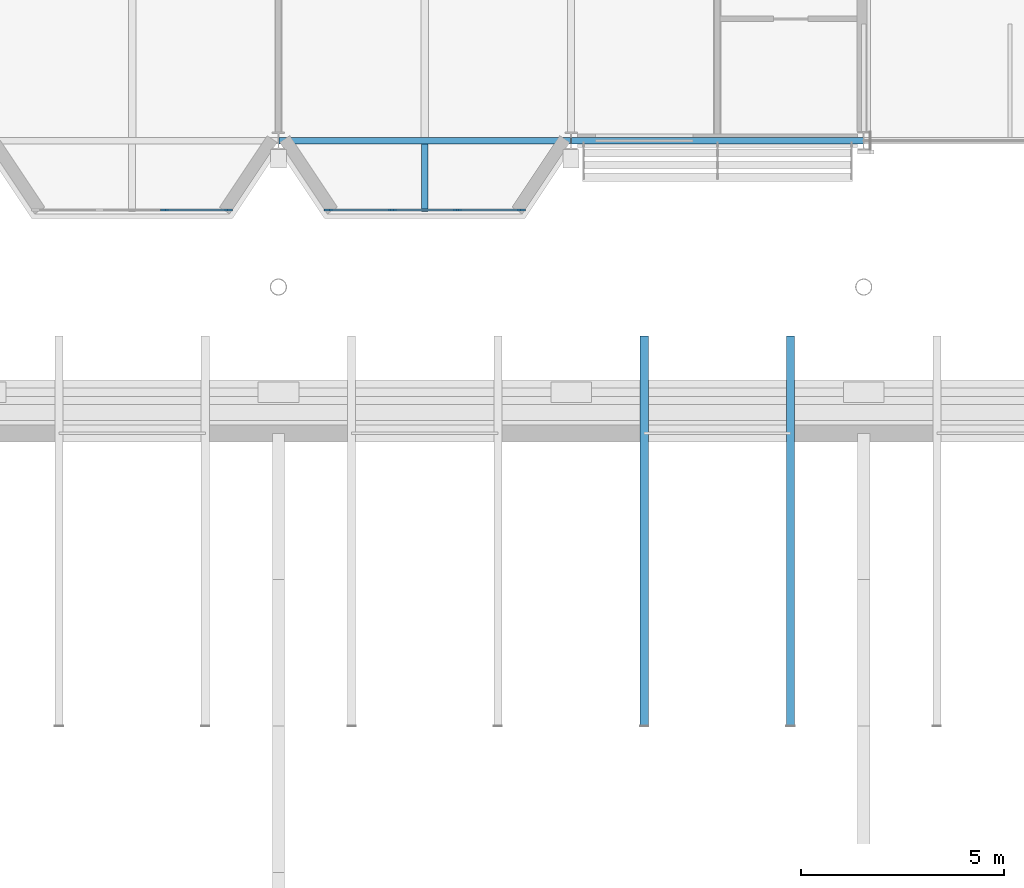
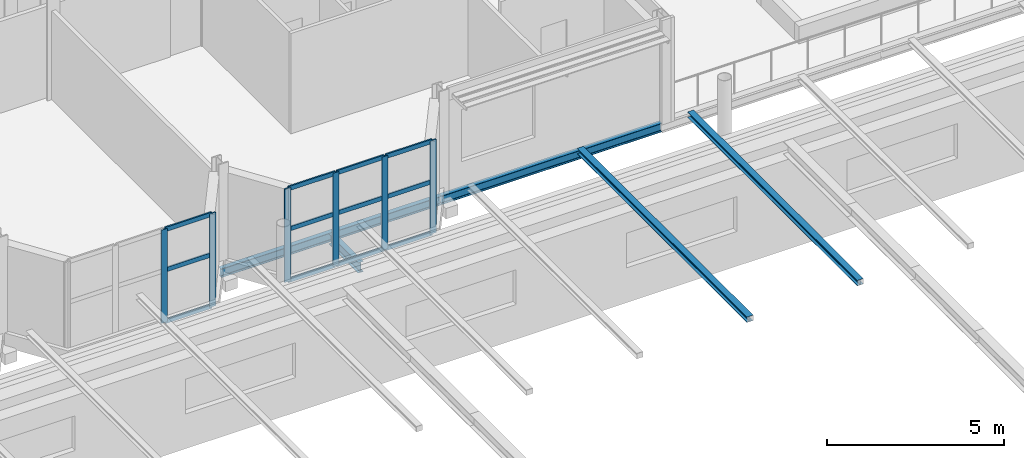
# One storey, part 28 of 110: 20 members, 3 beams, 2 elements without a shape of their own.
"""IFC4 building model written with IfcOpenShell, lengths in metres."""

from ifc_helpers import new_model, si_unit, direction, frame, origin, origin_2d, place, context, subcontext, project, spatial, rectangle, i_section, extrude, material, material_profile, profile_set, type_object, element, aggregate, save


model = new_model("IFC4")

# Units and contexts
model_context = context("Model", 3, precision=1e-05, world=origin(), true_north=direction((0.0, 1.0)))
body_context = subcontext(model_context, "Body", "Model", "MODEL_VIEW")
ifc_project = project(units=[si_unit("LENGTHUNIT", "METRE"), si_unit("AREAUNIT", "SQUARE_METRE"), si_unit("VOLUMEUNIT", "CUBIC_METRE"), si_unit("PLANEANGLEUNIT", "RADIAN"), si_unit("MASSUNIT", "GRAM", prefix="KILO")], contexts=[model_context])

# Site, building, storey
site_placement = place(None, origin())
site = spatial("IfcSite", under=ifc_project, at=site_placement, CompositionType="ELEMENT")
building_placement = place(site_placement, origin())
building = spatial("IfcBuilding", under=site, at=building_placement, Name="Kupolbacken Congress Centre", CompositionType="ELEMENT")
storey_placement = place(building_placement, frame((0.0, 0.0, 18.0)))
storey = spatial("IfcBuildingStorey", under=building, at=storey_placement, Name="L05", CompositionType="ELEMENT", Elevation=18.0)

# Beams
ifc_material_1 = material(Name="Steel S355", Category="steel")
ifc_material_profile_1 = material_profile(ifc_material_1, i_section(OverallWidth=0.14990234375, OverallDepth=0.300048828125, WebThickness=0.007080078125, FlangeThickness=0.0107421875, FilletRadius=0.014892578125, at=origin_2d()), Name="IPE 300")
ifc_profile_set_1 = profile_set([ifc_material_profile_1], Name="Steel S355")
beam_type_1 = type_object("IfcBeamType", Name="B04 beam IPE 300", PredefinedType="BEAM", material=ifc_profile_set_1)
beam_1_placement = place(storey_placement, frame((122.410400390625, 122.39990234375, -0.2900390625), z_axis=(1.0, 0.0, 0.0), x_axis=(0.0, 1.0, 0.0)))
element("IfcBeam", 1, at=beam_1_placement, inside=storey, type_object=beam_type_1, Name="S/floor/T/L05/R005", PredefinedType="BEAM", context=body_context, shape_type="SweptSolid", body=[
    extrude(i_section(OverallWidth=0.14990234375, OverallDepth=0.300048828125, WebThickness=0.007080078125, FlangeThickness=0.0107421875, FilletRadius=0.014892578125, at=origin_2d()), origin(), (0.0, 0.0, 1.0), 7.17919921875),
])
beam_2_placement = place(storey_placement, frame((129.610595703125, 122.39990234375, -0.2900390625), z_axis=(1.0, 0.0, 0.0), x_axis=(0.0, 1.0, 0.0)))
element("IfcBeam", 2, at=beam_2_placement, inside=storey, type_object=beam_type_1, Name="S/floor/T/L05/R006", PredefinedType="BEAM", context=body_context, shape_type="SweptSolid", body=[
    extrude(i_section(OverallWidth=0.14990234375, OverallDepth=0.300048828125, WebThickness=0.007080078125, FlangeThickness=0.0107421875, FilletRadius=0.014892578125, at=origin_2d()), origin(), (0.0, 0.0, 1.0), 7.182373046875),
])
ifc_material_2 = material(Name="Steel S355", Category="steel")
ifc_material_profile_2 = material_profile(ifc_material_2, i_section(OverallWidth=0.169921875, OverallDepth=0.360107421875, WebThickness=0.008056640625, FlangeThickness=0.0126953125, FilletRadius=0.01806640625, at=origin_2d()), Name="IPE 360")
ifc_profile_set_2 = profile_set([ifc_material_profile_2], Name="Steel S355")
beam_type_2 = type_object("IfcBeamType", Name="B06 beam IPE 360", PredefinedType="BEAM", material=ifc_profile_set_2)
beam_3_placement = place(storey_placement, frame((126.0, 122.324951171875, -0.320068359375), z_axis=(0.0, -1.0, 0.0), x_axis=(1.0, 0.0, 0.0)))
element("IfcBeam", 3, at=beam_3_placement, inside=storey, type_object=beam_type_2, Name="S/floor/T/L05/C089", PredefinedType="BEAM", context=body_context, shape_type="SweptSolid", body=[
    extrude(i_section(OverallWidth=0.169921875, OverallDepth=0.360107421875, WebThickness=0.008056640625, FlangeThickness=0.0126953125, FilletRadius=0.01806640625, at=origin_2d()), origin(), (0.0, 0.0, 1.0), 1.6650390625),
])

# Members
ifc_material_3 = material(Name="Steel S355", Category="steel")
ifc_material_profile_3 = material_profile(ifc_material_3, i_section(OverallWidth=0.199951171875, OverallDepth=0.18994140625, WebThickness=0.006591796875, FlangeThickness=0.010009765625, FilletRadius=0.01806640625, at=origin_2d()), Name="HEA 200")
ifc_profile_set_3 = profile_set([ifc_material_profile_3], Name="Steel S355")
member_type_1 = type_object("IfcMemberType", Name="M14 member HEA 200", PredefinedType="BRACE", material=ifc_profile_set_3)
for number, where, z_axis, x_axis, name in (
    (4, (131.39990234375, 108.0, 3.68505859375), (0.0, 1.0, 0.0), (-1.0, 0.0, 0.0), "HE/N13"),
    (5, (135.0, 108.0, 3.68505859375), (0.0, 1.0, 0.0), (-1.0, 0.0, 0.0), "HE/N14"),
):
    element("IfcMember", number, at=place(storey_placement, frame(where, z_axis=z_axis, x_axis=x_axis)), inside=storey, type_object=member_type_1, Name=name, PredefinedType="BRACE", context=body_context, shape_type="SweptSolid", body=[
        extrude(i_section(OverallWidth=0.199951171875, OverallDepth=0.18994140625, WebThickness=0.006591796875, FlangeThickness=0.010009765625, FilletRadius=0.01806640625, at=origin_2d()), origin(), (0.0, 0.0, 1.0), 9.60009765625),
    ])

# Curtain wall, members
ifc_material_4 = material(Name="Aluminium mullion-transom frame with glass", Category="aluminium")
curtain_wall_type = type_object("IfcCurtainWallType", Name="CW1 curtain wall 7200x3600", PredefinedType="NOTDEFINED", material=ifc_material_4)
curtain_wall_1_placement = place(storey_placement, origin())
curtain_wall_1 = element("IfcCurtainWall", 6, at=curtain_wall_1_placement, inside=storey, type_object=curtain_wall_type, Name="E/T/cumba/L05/S/017/cw", PredefinedType="NOTDEFINED")
ifc_material_5 = material(Name="Aluminium alloy", Category="aluminium")
ifc_material_profile_4 = material_profile(ifc_material_5, rectangle(XDim=0.050048828125, YDim=0.199951171875, at=origin_2d()), Name="50 x 200")
ifc_profile_set_4 = profile_set([ifc_material_profile_4], Name="Aluminium alloy")
member_type_2 = type_object("IfcMemberType", Name="MU2 mullion 50x200", PredefinedType="MULLION", material=ifc_profile_set_4)
member_1_placement = place(storey_placement, frame((119.60009765625, 120.699951171875, 0.0), z_axis=(0.0, 0.0, 1.0), x_axis=(0.0, 1.0, 0.0)))
member_1 = element("IfcMember", 7, at=member_1_placement, type_object=member_type_2, Name="CW1 mullion 3", PredefinedType="MULLION", context=body_context, shape_type="SweptSolid", body=[
    extrude(rectangle(XDim=0.050048828125, YDim=0.199951171875, at=origin_2d()), origin(), (0.0, 0.0, 1.0), 3.219970703125),
])
member_2_placement = place(storey_placement, frame((121.175048828125, 120.699951171875, 0.0), z_axis=(0.0, 0.0, 1.0), x_axis=(0.0, 1.0, 0.0)))
member_2 = element("IfcMember", 8, at=member_2_placement, type_object=member_type_2, Name="CW1 mullion 4", PredefinedType="MULLION", context=body_context, shape_type="SweptSolid", body=[
    extrude(rectangle(XDim=0.050048828125, YDim=0.199951171875, at=origin_2d()), origin(), (0.0, 0.0, 1.0), 3.219970703125),
])

curtain_wall_2_placement = place(storey_placement, origin())
curtain_wall_2 = element("IfcCurtainWall", 9, at=curtain_wall_2_placement, inside=storey, type_object=curtain_wall_type, Name="E/T/cumba/L05/S/021/cw", PredefinedType="NOTDEFINED")
member_3_placement = place(storey_placement, frame((123.625, 120.699951171875, 0.0), z_axis=(0.0, 0.0, 1.0), x_axis=(0.0, 1.0, 0.0)))
member_3 = element("IfcMember", 10, at=member_3_placement, type_object=member_type_2, Name="CW1 mullion 1", PredefinedType="MULLION", context=body_context, shape_type="SweptSolid", body=[
    extrude(rectangle(XDim=0.050048828125, YDim=0.199951171875, at=origin_2d()), origin(), (0.0, 0.0, 1.0), 3.219970703125),
])
member_4_placement = place(storey_placement, frame((125.199951171875, 120.699951171875, 0.0), z_axis=(0.0, 0.0, 1.0), x_axis=(0.0, 1.0, 0.0)))
member_4 = element("IfcMember", 11, at=member_4_placement, type_object=member_type_2, Name="CW1 mullion 2", PredefinedType="MULLION", context=body_context, shape_type="SweptSolid", body=[
    extrude(rectangle(XDim=0.050048828125, YDim=0.199951171875, at=origin_2d()), origin(), (0.0, 0.0, 1.0), 3.219970703125),
])
member_5_placement = place(storey_placement, frame((126.800048828125, 120.699951171875, 0.0), z_axis=(0.0, 0.0, 1.0), x_axis=(0.0, 1.0, 0.0)))
member_5 = element("IfcMember", 12, at=member_5_placement, type_object=member_type_2, Name="CW1 mullion 3", PredefinedType="MULLION", context=body_context, shape_type="SweptSolid", body=[
    extrude(rectangle(XDim=0.050048828125, YDim=0.199951171875, at=origin_2d()), origin(), (0.0, 0.0, 1.0), 3.219970703125),
])
member_6_placement = place(storey_placement, frame((128.375, 120.699951171875, 0.0), z_axis=(0.0, 0.0, 1.0), x_axis=(0.0, 1.0, 0.0)))
member_6 = element("IfcMember", 13, at=member_6_placement, type_object=member_type_2, Name="CW1 mullion 4", PredefinedType="MULLION", context=body_context, shape_type="SweptSolid", body=[
    extrude(rectangle(XDim=0.050048828125, YDim=0.199951171875, at=origin_2d()), origin(), (0.0, 0.0, 1.0), 3.219970703125),
])

# Member
ifc_material_6 = material(Name="Aluminium alloy", Category="aluminium")
ifc_material_profile_5 = material_profile(ifc_material_6, rectangle(XDim=0.050048828125, YDim=0.14990234375, at=origin_2d()), Name="50 x 150")
ifc_profile_set_5 = profile_set([ifc_material_profile_5], Name="Aluminium alloy")
member_type_3 = type_object("IfcMemberType", Name="TR2 transom 50x150", PredefinedType="MULLION", material=ifc_profile_set_5)
member_7_placement = place(storey_placement, frame((119.625, 120.699951171875, 0.02490234375), z_axis=(1.0, 0.0, 0.0), x_axis=(0.0, 1.0, 0.0)))
member_7 = element("IfcMember", 14, at=member_7_placement, type_object=member_type_3, Name="CW1 transom 3.1", PredefinedType="MULLION", context=body_context, shape_type="SweptSolid", body=[
    extrude(rectangle(XDim=0.050048828125, YDim=0.14990234375, at=origin_2d()), origin(), (0.0, 0.0, 1.0), 1.52490234375),
])

member_8_placement = place(storey_placement, frame((119.625, 120.699951171875, 1.800048828125), z_axis=(1.0, 0.0, 0.0), x_axis=(0.0, 1.0, 0.0)))
member_8 = element("IfcMember", 15, at=member_8_placement, type_object=member_type_3, Name="CW1 transom 3.2", PredefinedType="MULLION", context=body_context, shape_type="SweptSolid", body=[
    extrude(rectangle(XDim=0.050048828125, YDim=0.14990234375, at=origin_2d()), origin(), (0.0, 0.0, 1.0), 1.52490234375),
])

member_9_placement = place(storey_placement, frame((119.625, 120.699951171875, 3.195068359375), z_axis=(1.0, 0.0, 0.0), x_axis=(0.0, 1.0, 0.0)))
member_9 = element("IfcMember", 16, at=member_9_placement, type_object=member_type_3, Name="CW1 transom 3.3", PredefinedType="MULLION", context=body_context, shape_type="SweptSolid", body=[
    extrude(rectangle(XDim=0.050048828125, YDim=0.14990234375, at=origin_2d()), origin(), (0.0, 0.0, 1.0), 1.52490234375),
])

aggregate(curtain_wall_1, [member_1, member_2, member_7, member_8, member_9])

member_10_placement = place(storey_placement, frame((123.64990234375, 120.699951171875, 0.02490234375), z_axis=(1.0, 0.0, 0.0), x_axis=(0.0, 1.0, 0.0)))
member_10 = element("IfcMember", 17, at=member_10_placement, type_object=member_type_3, Name="CW1 transom 1.1", PredefinedType="MULLION", context=body_context, shape_type="SweptSolid", body=[
    extrude(rectangle(XDim=0.050048828125, YDim=0.14990234375, at=origin_2d()), origin(), (0.0, 0.0, 1.0), 1.525146484375),
])

member_11_placement = place(storey_placement, frame((123.64990234375, 120.699951171875, 1.800048828125), z_axis=(1.0, 0.0, 0.0), x_axis=(0.0, 1.0, 0.0)))
member_11 = element("IfcMember", 18, at=member_11_placement, type_object=member_type_3, Name="CW1 transom 1.2", PredefinedType="MULLION", context=body_context, shape_type="SweptSolid", body=[
    extrude(rectangle(XDim=0.050048828125, YDim=0.14990234375, at=origin_2d()), origin(), (0.0, 0.0, 1.0), 1.525146484375),
])

member_12_placement = place(storey_placement, frame((123.64990234375, 120.699951171875, 3.195068359375), z_axis=(1.0, 0.0, 0.0), x_axis=(0.0, 1.0, 0.0)))
member_12 = element("IfcMember", 19, at=member_12_placement, type_object=member_type_3, Name="CW1 transom 1.3", PredefinedType="MULLION", context=body_context, shape_type="SweptSolid", body=[
    extrude(rectangle(XDim=0.050048828125, YDim=0.14990234375, at=origin_2d()), origin(), (0.0, 0.0, 1.0), 1.525146484375),
])

member_13_placement = place(storey_placement, frame((125.22509765625, 120.699951171875, 0.02490234375), z_axis=(1.0, 0.0, 0.0), x_axis=(0.0, 1.0, 0.0)))
member_13 = element("IfcMember", 20, at=member_13_placement, type_object=member_type_3, Name="CW1 transom 2.1", PredefinedType="MULLION", context=body_context, shape_type="SweptSolid", body=[
    extrude(rectangle(XDim=0.050048828125, YDim=0.14990234375, at=origin_2d()), origin(), (0.0, 0.0, 1.0), 1.5498046875),
])

member_14_placement = place(storey_placement, frame((125.22509765625, 120.699951171875, 1.800048828125), z_axis=(1.0, 0.0, 0.0), x_axis=(0.0, 1.0, 0.0)))
member_14 = element("IfcMember", 21, at=member_14_placement, type_object=member_type_3, Name="CW1 transom 2.2", PredefinedType="MULLION", context=body_context, shape_type="SweptSolid", body=[
    extrude(rectangle(XDim=0.050048828125, YDim=0.14990234375, at=origin_2d()), origin(), (0.0, 0.0, 1.0), 1.5498046875),
])

member_15_placement = place(storey_placement, frame((125.22509765625, 120.699951171875, 3.195068359375), z_axis=(1.0, 0.0, 0.0), x_axis=(0.0, 1.0, 0.0)))
member_15 = element("IfcMember", 22, at=member_15_placement, type_object=member_type_3, Name="CW1 transom 2.3", PredefinedType="MULLION", context=body_context, shape_type="SweptSolid", body=[
    extrude(rectangle(XDim=0.050048828125, YDim=0.14990234375, at=origin_2d()), origin(), (0.0, 0.0, 1.0), 1.5498046875),
])

member_16_placement = place(storey_placement, frame((126.824951171875, 120.699951171875, 0.02490234375), z_axis=(1.0, 0.0, 0.0), x_axis=(0.0, 1.0, 0.0)))
member_16 = element("IfcMember", 23, at=member_16_placement, type_object=member_type_3, Name="CW1 transom 3.1", PredefinedType="MULLION", context=body_context, shape_type="SweptSolid", body=[
    extrude(rectangle(XDim=0.050048828125, YDim=0.14990234375, at=origin_2d()), origin(), (0.0, 0.0, 1.0), 1.525146484375),
])

member_17_placement = place(storey_placement, frame((126.824951171875, 120.699951171875, 1.800048828125), z_axis=(1.0, 0.0, 0.0), x_axis=(0.0, 1.0, 0.0)))
member_17 = element("IfcMember", 24, at=member_17_placement, type_object=member_type_3, Name="CW1 transom 3.2", PredefinedType="MULLION", context=body_context, shape_type="SweptSolid", body=[
    extrude(rectangle(XDim=0.050048828125, YDim=0.14990234375, at=origin_2d()), origin(), (0.0, 0.0, 1.0), 1.525146484375),
])

member_18_placement = place(storey_placement, frame((126.824951171875, 120.699951171875, 3.195068359375), z_axis=(1.0, 0.0, 0.0), x_axis=(0.0, 1.0, 0.0)))
member_18 = element("IfcMember", 25, at=member_18_placement, type_object=member_type_3, Name="CW1 transom 3.3", PredefinedType="MULLION", context=body_context, shape_type="SweptSolid", body=[
    extrude(rectangle(XDim=0.050048828125, YDim=0.14990234375, at=origin_2d()), origin(), (0.0, 0.0, 1.0), 1.525146484375),
])

aggregate(curtain_wall_2, [member_3, member_4, member_5, member_6, member_10, member_11, member_12, member_13, member_14, member_15, member_16, member_17, member_18])

save(model, "model.ifc")
